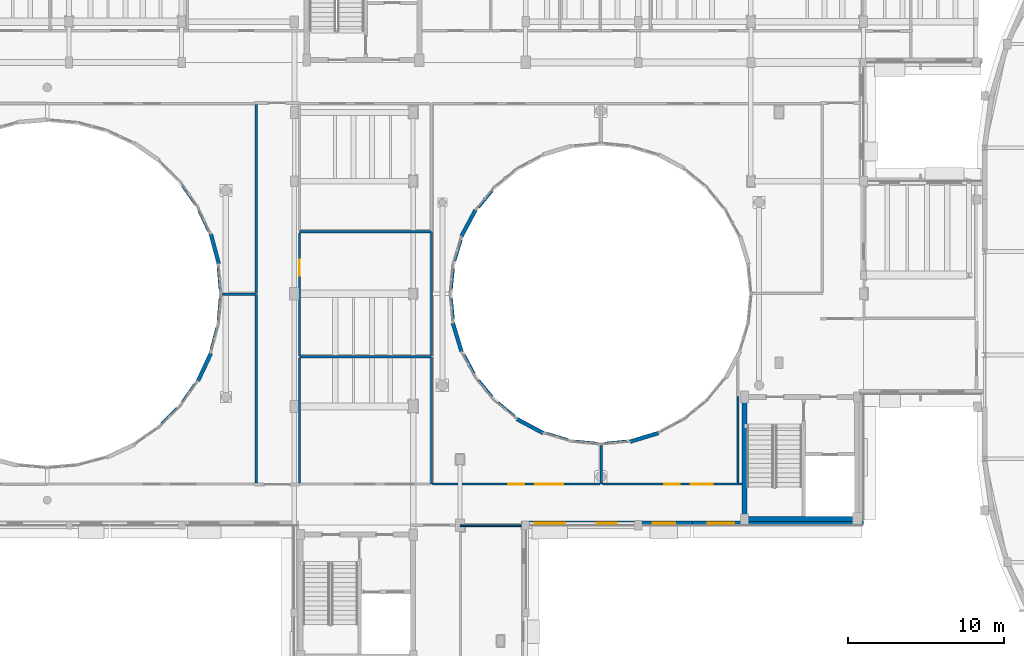
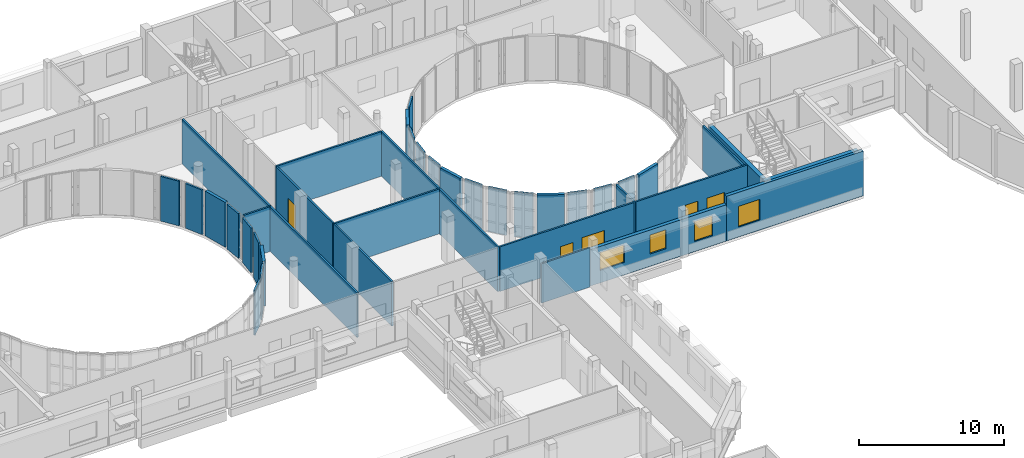
# One storey, part 79 of 105: 41 walls, 6 windows, 3 doors, 9 openings.
"""IFC4 building model written with IfcOpenShell, lengths in metres."""

from ifc_helpers import new_model, si_unit, direction, frame, frame_2d, origin, place, context, subcontext, project, spatial, rectangle, extrude, material, layer, layer_set, type_object, element, fill, save


model = new_model("IFC4")

# Units and contexts
model_context = context("Model", 3, precision=1e-05, world=origin(), true_north=direction((0.0, 1.0)))
body_context = subcontext(model_context, "Body", "Model", "MODEL_VIEW")
ifc_project = project(units=[si_unit("LENGTHUNIT", "METRE"), si_unit("AREAUNIT", "SQUARE_METRE"), si_unit("VOLUMEUNIT", "CUBIC_METRE"), si_unit("PLANEANGLEUNIT", "RADIAN"), si_unit("MASSUNIT", "GRAM", prefix="KILO")], contexts=[model_context])

# Site, building, storey
site_placement = place(None, origin())
site = spatial("IfcSite", under=ifc_project, at=site_placement, CompositionType="ELEMENT")
building_placement = place(site_placement, origin())
building = spatial("IfcBuilding", under=site, at=building_placement, Name="Kelanivale Promenade Academy", CompositionType="ELEMENT")
storey_placement = place(building_placement, frame((0.0, 0.0, 4.199951171875)))
storey = spatial("IfcBuildingStorey", under=building, at=storey_placement, Name="L01", CompositionType="ELEMENT", Elevation=4.199951171875)

# Walls
ifc_material_1 = material(Name="Concrete C40/50", Category="concrete")
ifc_layer_1 = layer(ifc_material_1, 0.330078125)
ifc_layer_set_1 = layer_set([ifc_layer_1], Name="Concrete C40/50")
wall_type_1 = type_object("IfcWallType", Name="CW-S1 Wall 330mm", PredefinedType="SHEAR", material=ifc_layer_set_1)
wall_1_placement = place(storey_placement, frame((107.8349609375, 42.39990234375, 0.0), z_axis=(0.0, 0.0, 1.0), x_axis=(1.0, 0.0, 0.0)))
element("IfcWall", 1, at=wall_1_placement, inside=storey, type_object=wall_type_1, Name="CORE-3 RC shear wall S L01", PredefinedType="SHEAR", context=body_context, shape_type="SweptSolid", body=[
    extrude(rectangle(XDim=7.530029296875, YDim=0.330078125, at=frame_2d((3.76513671875, 0.0))), origin(), (0.0, 0.0, 1.0), 3.780029296875),
])
wall_2_placement = place(storey_placement, frame((108.0, 42.56494140625, 0.0), z_axis=(0.0, 0.0, 1.0), x_axis=(0.0, 1.0, 0.0)))
element("IfcWall", 2, at=wall_2_placement, inside=storey, type_object=wall_type_1, Name="CORE-3 RC shear wall W L01", PredefinedType="SHEAR", context=body_context, shape_type="SweptSolid", body=[
    extrude(rectangle(XDim=7.469970703125, YDim=0.330078125, at=frame_2d((3.73486328125, 0.0))), origin(), (0.0, 0.0, 1.0), 3.780029296875),
])

# Wall, openings, windows
ifc_material_2 = material(Name="Insulated ivory stucco masonry wall 280 mm", Category="masonry")
ifc_layer_2 = layer(ifc_material_2, 0.280029296875)
ifc_layer_set_2 = layer_set([ifc_layer_2], Name="Insulated ivory stucco masonry wall 280 mm")
wall_type_2 = type_object("IfcWallType", Name="EW-02 Wall 280mm", PredefinedType="SOLIDWALL", material=ifc_layer_set_2)
wall_3_placement = place(storey_placement, frame((93.719970703125, 42.139892578125, 0.0), z_axis=(0.0, 0.0, 1.0), x_axis=(1.0, 0.0, 0.0)))
wall_3 = element("IfcWall", 3, at=wall_3_placement, inside=storey, type_object=wall_type_2, Name="L01 exterior facade wall EW-L01-ORT-0362", PredefinedType="SOLIDWALL", context=body_context, shape_type="SweptSolid", body=[
    extrude(rectangle(XDim=10.93994140625, YDim=0.280029296875, at=frame_2d((5.469970703125, 0.0))), origin(), (0.0, 0.0, 1.0), 3.074951171875),
])
opening_1_placement = place(wall_3_placement, frame((0.847900390625, 0.0, 1.050048828125)))
opening_1 = element("IfcOpeningElement", 4, at=opening_1_placement, cuts=wall_3, Name="Opening WT-22", PredefinedType="OPENING", context=body_context, shape_type="SweptSolid", body=[
    extrude(rectangle(XDim=1.949951171875, YDim=1.5, at=frame_2d((0.97509765625, 0.75))), frame((0.0, 0.14990234375, 0.0), z_axis=(0.0, -1.0, 0.0), x_axis=(1.0, 0.0, 0.0)), (0.0, 0.0, 1.0), 0.300048828125),
])
opening_2_placement = place(wall_3_placement, frame((4.820068359375, 0.0, 1.050048828125)))
opening_2 = element("IfcOpeningElement", 5, at=opening_2_placement, cuts=wall_3, Name="Opening WT-23", PredefinedType="OPENING", context=body_context, shape_type="SweptSolid", body=[
    extrude(rectangle(XDim=1.300048828125, YDim=1.60009765625, at=frame_2d((0.64990234375, 0.800048828125))), frame((0.0, 0.14990234375, 0.0), z_axis=(0.0, -1.0, 0.0), x_axis=(1.0, 0.0, 0.0)), (0.0, 0.0, 1.0), 0.300048828125),
])
opening_3_placement = place(wall_3_placement, frame((8.39208984375, 0.0, 0.85009765625)))
opening_3 = element("IfcOpeningElement", 6, at=opening_3_placement, cuts=wall_3, Name="Opening WT-24", PredefinedType="OPENING", context=body_context, shape_type="SweptSolid", body=[
    extrude(rectangle(XDim=1.449951171875, YDim=1.699951171875, at=frame_2d((0.72509765625, 0.85009765625))), frame((0.0, 0.14990234375, 0.0), z_axis=(0.0, -1.0, 0.0), x_axis=(1.0, 0.0, 0.0)), (0.0, 0.0, 1.0), 0.300048828125),
])
ifc_material_3 = material(Name="Bronze anodised aluminium frame with low-E laminated glass", Category="aluminium")
window_type_1 = type_object("IfcWindowType", Name="WT-22 Window 1950x1500", PartitioningType="SINGLE_PANEL", PredefinedType="WINDOW", material=ifc_material_3)
window_1_placement = place(opening_1_placement, origin())
window_1 = element("IfcWindow", 7, at=window_1_placement, inside=storey, type_object=window_type_1, Name="Window WT-22", OverallHeight=1.5, OverallWidth=1.949951171875, PartitioningType="SINGLE_PANEL", PredefinedType="WINDOW", context=body_context, shape_type="SweptSolid", body=[
    extrude(rectangle(XDim=1.949951171875, YDim=1.5, at=frame_2d((0.97509765625, 0.75))), frame((0.0, 0.030029296875, 0.0), z_axis=(0.0, -1.0, 0.0), x_axis=(1.0, 0.0, 0.0)), (0.0, 0.0, 1.0), 0.06005859375),
])
fill(opening_1, window_1)
window_type_2 = type_object("IfcWindowType", Name="WT-23 Window 1300x1600", PartitioningType="SINGLE_PANEL", PredefinedType="WINDOW", material=ifc_material_3)
window_2_placement = place(opening_2_placement, origin())
window_2 = element("IfcWindow", 8, at=window_2_placement, inside=storey, type_object=window_type_2, Name="Window WT-23", OverallHeight=1.60009765625, OverallWidth=1.300048828125, PartitioningType="SINGLE_PANEL", PredefinedType="WINDOW", context=body_context, shape_type="SweptSolid", body=[
    extrude(rectangle(XDim=1.300048828125, YDim=1.60009765625, at=frame_2d((0.64990234375, 0.800048828125))), frame((0.0, 0.030029296875, 0.0), z_axis=(0.0, -1.0, 0.0), x_axis=(1.0, 0.0, 0.0)), (0.0, 0.0, 1.0), 0.06005859375),
])
fill(opening_2, window_2)
window_type_3 = type_object("IfcWindowType", Name="WT-24 Window 1450x1700", PartitioningType="SINGLE_PANEL", PredefinedType="WINDOW", material=ifc_material_3)
window_3_placement = place(opening_3_placement, origin())
window_3 = element("IfcWindow", 9, at=window_3_placement, inside=storey, type_object=window_type_3, Name="Window WT-24", OverallHeight=1.699951171875, OverallWidth=1.449951171875, PartitioningType="SINGLE_PANEL", PredefinedType="WINDOW", context=body_context, shape_type="SweptSolid", body=[
    extrude(rectangle(XDim=1.449951171875, YDim=1.699951171875, at=frame_2d((0.72509765625, 0.85009765625))), frame((0.0, 0.030029296875, 0.0), z_axis=(0.0, -1.0, 0.0), x_axis=(1.0, 0.0, 0.0)), (0.0, 0.0, 1.0), 0.06005859375),
])
fill(opening_3, window_3)

# Wall, opening, window
wall_4_placement = place(storey_placement, frame((104.659912109375, 42.139892578125, 0.0), z_axis=(0.0, 0.0, 1.0), x_axis=(1.0, 0.0, 0.0)))
wall_4 = element("IfcWall", 10, at=wall_4_placement, inside=storey, type_object=wall_type_2, Name="L01 exterior facade wall EW-L01-ORT-0363", PredefinedType="SOLIDWALL", context=body_context, shape_type="SweptSolid", body=[
    extrude(rectangle(XDim=10.940185546875, YDim=0.280029296875, at=frame_2d((5.47021484375, 0.0))), origin(), (0.0, 0.0, 1.0), 3.780029296875),
])
opening_4_placement = place(wall_4_placement, frame((0.972900390625, 0.0, 0.85009765625)))
opening_4 = element("IfcOpeningElement", 11, at=opening_4_placement, cuts=wall_4, Name="Opening WT-25", PredefinedType="OPENING", context=body_context, shape_type="SweptSolid", body=[
    extrude(rectangle(XDim=1.699951171875, YDim=1.75, at=frame_2d((0.85009765625, 0.875))), frame((0.0, 0.14990234375, 0.0), z_axis=(0.0, -1.0, 0.0), x_axis=(1.0, 0.0, 0.0)), (0.0, 0.0, 1.0), 0.300048828125),
])
window_type_4 = type_object("IfcWindowType", Name="WT-25 Window 1700x1750", PartitioningType="SINGLE_PANEL", PredefinedType="WINDOW", material=ifc_material_3)
window_4_placement = place(opening_4_placement, origin())
window_4 = element("IfcWindow", 12, at=window_4_placement, inside=storey, type_object=window_type_4, Name="Window WT-25", OverallHeight=1.75, OverallWidth=1.699951171875, PartitioningType="SINGLE_PANEL", PredefinedType="WINDOW", context=body_context, shape_type="SweptSolid", body=[
    extrude(rectangle(XDim=1.699951171875, YDim=1.75, at=frame_2d((0.85009765625, 0.875))), frame((0.0, 0.030029296875, 0.0), z_axis=(0.0, -1.0, 0.0), x_axis=(1.0, 0.0, 0.0)), (0.0, 0.0, 1.0), 0.06005859375),
])
fill(opening_4, window_4)

# Walls
ifc_material_4 = material(Name="Insulated courtyard stucco masonry wall 240 mm", Category="masonry")
ifc_layer_3 = layer(ifc_material_4, 0.239990234375)
ifc_layer_set_3 = layer_set([ifc_layer_3], Name="Insulated courtyard stucco masonry wall 240 mm")
wall_type_3 = type_object("IfcWallType", Name="EW-04 Wall 240mm", PredefinedType="SOLIDWALL", material=ifc_layer_set_3)
wall_5_placement = place(storey_placement, frame((90.7900390625, 62.166015625, 0.0), z_axis=(0.0, 0.0, 1.0), x_axis=(-0.471548403175, -0.881840180227, 0.0)))
element("IfcWall", 13, at=wall_5_placement, inside=storey, type_object=wall_type_3, Name="L01 round courtyard stucco wall", PredefinedType="SOLIDWALL", context=body_context, shape_type="SweptSolid", body=[
    extrude(rectangle(XDim=1.9130859375, YDim=0.239990234375, at=frame_2d((0.95654296875, 0.0))), origin(), (0.0, 0.0, 1.0), 3.780029296875),
])
wall_6_placement = place(storey_placement, frame((89.342041015625, 54.929931640625, 0.0), z_axis=(0.0, 0.0, 1.0), x_axis=(0.289748657608, -0.957102771605, 0.0)))
element("IfcWall", 14, at=wall_6_placement, inside=storey, type_object=wall_type_3, Name="L01 round courtyard stucco wall", PredefinedType="SOLIDWALL", context=body_context, shape_type="SweptSolid", body=[
    extrude(rectangle(XDim=1.911865234375, YDim=0.239990234375, at=frame_2d((0.9560546875, 0.0))), origin(), (0.0, 0.0, 1.0), 3.780029296875),
])
wall_7_placement = place(storey_placement, frame((93.43408203125, 48.7900390625, 0.0), z_axis=(0.0, 0.0, 1.0), x_axis=(0.881840180227, -0.471548403175, 0.0)))
element("IfcWall", 15, at=wall_7_placement, inside=storey, type_object=wall_type_3, Name="L01 round courtyard stucco wall", PredefinedType="SOLIDWALL", context=body_context, shape_type="SweptSolid", body=[
    extrude(rectangle(XDim=1.9130859375, YDim=0.239990234375, at=frame_2d((0.95654296875, 0.0))), origin(), (0.0, 0.0, 1.0), 3.780029296875),
])
wall_8_placement = place(storey_placement, frame((100.669921875, 47.342041015625, 0.0), z_axis=(0.0, 0.0, 1.0), x_axis=(0.957113490504, 0.289713248393, 0.0)))
element("IfcWall", 16, at=wall_8_placement, inside=storey, type_object=wall_type_3, Name="L01 round courtyard stucco wall", PredefinedType="SOLIDWALL", context=body_context, shape_type="SweptSolid", body=[
    extrude(rectangle(XDim=1.912109375, YDim=0.239990234375, at=frame_2d((0.9560546875, 0.0))), origin(), (0.0, 0.0, 1.0), 3.780029296875),
])
wall_9_placement = place(storey_placement, frame((73.0419921875, 51.218017578125, 0.0), z_axis=(0.0, 0.0, 1.0), x_axis=(0.423095895811, 0.906084909348, 0.0)))
element("IfcWall", 17, at=wall_9_placement, inside=storey, type_object=wall_type_3, Name="L01 round courtyard stucco wall", PredefinedType="SOLIDWALL", context=body_context, shape_type="SweptSolid", body=[
    extrude(rectangle(XDim=1.96875, YDim=0.239990234375, at=frame_2d((0.984375, 0.0))), origin(), (0.0, 0.0, 1.0), 3.780029296875),
])
wall_10_placement = place(storey_placement, frame((74.3740234375, 58.721923828125, 0.0), z_axis=(0.0, 0.0, 1.0), x_axis=(-0.258303819724, 0.966063733258, 0.0)))
element("IfcWall", 18, at=wall_10_placement, inside=storey, type_object=wall_type_3, Name="L01 round courtyard stucco wall", PredefinedType="SOLIDWALL", context=body_context, shape_type="SweptSolid", body=[
    extrude(rectangle(XDim=1.966796875, YDim=0.239990234375, at=frame_2d((0.9833984375, 0.0))), origin(), (0.0, 0.0, 1.0), 3.780029296875),
])
ifc_material_5 = material(Name="Acoustic double-stud gypsum board partition 140 mm", Category="masonry")
ifc_layer_4 = layer(ifc_material_5, 0.139892578125)
ifc_layer_set_4 = layer_set([ifc_layer_4], Name="Acoustic double-stud gypsum board partition 140 mm")
wall_type_4 = type_object("IfcWallType", Name="IW-04 Wall 140mm", PredefinedType="PARTITIONING", material=ifc_layer_set_4)
wall_11_placement = place(storey_placement, frame((87.969970703125, 44.6298828125, 0.0), z_axis=(0.0, 0.0, 1.0), x_axis=(0.0, 1.0, 0.0)))
element("IfcWall", 19, at=wall_11_placement, inside=storey, type_object=wall_type_4, Name="L01 partition Junior Classroom", PredefinedType="PARTITIONING", context=body_context, shape_type="SweptSolid", body=[
    extrude(rectangle(XDim=8.14013671875, YDim=0.139892578125, at=frame_2d((4.070068359375, 0.0))), origin(), (0.0, 0.0, 1.0), 3.775146484375),
])
wall_12_placement = place(storey_placement, frame((87.902099609375, 52.77001953125, 0.0), z_axis=(0.0, 0.0, 1.0), x_axis=(-1.0, 0.0, 0.0)))
element("IfcWall", 20, at=wall_12_placement, inside=storey, type_object=wall_type_4, Name="L01 partition Junior Classroom", PredefinedType="PARTITIONING", context=body_context, shape_type="SweptSolid", body=[
    extrude(rectangle(XDim=8.3720703125, YDim=0.139892578125, at=frame_2d((4.18603515625, 0.0))), origin(), (0.0, 0.0, 1.0), 3.775146484375),
])
wall_13_placement = place(storey_placement, frame((79.530029296875, 52.701904296875, 0.0), z_axis=(0.0, 0.0, 1.0), x_axis=(0.0, -1.0, 0.0)))
element("IfcWall", 21, at=wall_13_placement, inside=storey, type_object=wall_type_4, Name="L01 partition Junior Classroom", PredefinedType="PARTITIONING", context=body_context, shape_type="SweptSolid", body=[
    extrude(rectangle(XDim=8.013916015625, YDim=0.139892578125, at=frame_2d((4.0068359375, 0.0))), origin(), (0.0, 0.0, 1.0), 3.775146484375),
])
wall_14_placement = place(storey_placement, frame((87.969970703125, 52.830078125, 0.0), z_axis=(0.0, 0.0, 1.0), x_axis=(0.0, 1.0, 0.0)))
element("IfcWall", 22, at=wall_14_placement, inside=storey, type_object=wall_type_4, Name="L01 partition Language Studio", PredefinedType="PARTITIONING", context=body_context, shape_type="SweptSolid", body=[
    extrude(rectangle(XDim=7.93994140625, YDim=0.139892578125, at=frame_2d((3.969970703125, 0.0))), origin(), (0.0, 0.0, 1.0), 3.775146484375),
])
wall_15_placement = place(storey_placement, frame((87.902099609375, 60.77001953125, 0.0), z_axis=(0.0, 0.0, 1.0), x_axis=(-1.0, 0.0, 0.0)))
element("IfcWall", 23, at=wall_15_placement, inside=storey, type_object=wall_type_4, Name="L01 partition Language Studio", PredefinedType="PARTITIONING", context=body_context, shape_type="SweptSolid", body=[
    extrude(rectangle(XDim=8.3720703125, YDim=0.139892578125, at=frame_2d((4.18603515625, 0.0))), origin(), (0.0, 0.0, 1.0), 3.775146484375),
])

# Wall, opening, door
wall_16_placement = place(storey_placement, frame((79.530029296875, 60.701904296875, 0.0), z_axis=(0.0, 0.0, 1.0), x_axis=(0.0, -1.0, 0.0)))
wall_16 = element("IfcWall", 24, at=wall_16_placement, inside=storey, type_object=wall_type_4, Name="L01 partition Language Studio", PredefinedType="PARTITIONING", context=body_context, shape_type="SweptSolid", body=[
    extrude(rectangle(XDim=7.864013671875, YDim=0.139892578125, at=frame_2d((3.93212890625, 0.0))), origin(), (0.0, 0.0, 1.0), 3.775146484375),
])
opening_5_placement = place(wall_16_placement, frame((1.7109375, 0.0, 0.0)))
opening_5 = element("IfcOpeningElement", 25, at=opening_5_placement, cuts=wall_16, Name="Opening ID-L01-079", PredefinedType="OPENING", context=body_context, shape_type="SweptSolid", body=[
    extrude(rectangle(XDim=1.02001953125, YDim=2.139892578125, at=frame_2d((0.510009765625, 1.06982421875))), frame((0.0, 0.080078125, 0.0), z_axis=(0.0, -1.0, 0.0), x_axis=(1.0, 0.0, 0.0)), (0.0, 0.0, 1.0), 0.159912109375),
])
ifc_material_6 = material(Name="Solid-core tropical teak timber", Category="wood")
door_type_1 = type_object("IfcDoorType", Name="DT-I15 Door 1020x2140", OperationType="NOTDEFINED", PredefinedType="DOOR", material=ifc_material_6)
door_1_placement = place(opening_5_placement, origin())
door_1 = element("IfcDoor", 26, at=door_1_placement, inside=storey, type_object=door_type_1, Name="Language Studio door ID-L01-079", OperationType="SINGLE_SWING_LEFT", OverallHeight=2.139892578125, OverallWidth=1.02001953125, PredefinedType="DOOR", context=body_context, shape_type="SweptSolid", body=[
    extrude(rectangle(XDim=1.02001953125, YDim=2.139892578125, at=frame_2d((0.510009765625, 1.06982421875))), frame((0.0, 0.02490234375, 0.0), z_axis=(0.0, -1.0, 0.0), x_axis=(1.0, 0.0, 0.0)), (0.0, 0.0, 1.0), 0.050048828125),
])
fill(opening_5, door_1)

# Walls
wall_17_placement = place(storey_placement, frame((72.839111328125, 51.052978515625, 0.0), z_axis=(0.0, 0.0, 1.0), x_axis=(-0.57368253481, -0.819077743108, 0.0)))
element("IfcWall", 27, at=wall_17_placement, inside=storey, type_object=wall_type_4, Name="L01 partition Language Studio Courtyard South", PredefinedType="PARTITIONING", context=body_context, shape_type="SweptSolid", body=[
    extrude(rectangle(XDim=1.413818359375, YDim=0.139892578125, at=frame_2d((0.70703125, 0.0))), origin(), (0.0, 0.0, 1.0), 3.775146484375),
])
wall_18_placement = place(storey_placement, frame((71.697021484375, 49.5009765625, 0.0), z_axis=(0.0, 0.0, 1.0), x_axis=(-0.707106781187, -0.707106781187, 0.0)))
element("IfcWall", 28, at=wall_18_placement, inside=storey, type_object=wall_type_4, Name="L01 partition Language Studio Courtyard South", PredefinedType="PARTITIONING", context=body_context, shape_type="SweptSolid", body=[
    extrude(rectangle(XDim=1.411376953125, YDim=0.139892578125, at=frame_2d((0.70556640625, 0.0))), origin(), (0.0, 0.0, 1.0), 3.775146484375),
])
wall_19_placement = place(storey_placement, frame((76.77001953125, 44.697998046875, 0.0), z_axis=(0.0, 0.0, 1.0), x_axis=(0.0, 1.0, 0.0)))
element("IfcWall", 29, at=wall_19_placement, inside=storey, type_object=wall_type_4, Name="L01 partition Language Studio Courtyard South", PredefinedType="PARTITIONING", context=body_context, shape_type="SweptSolid", body=[
    extrude(rectangle(XDim=12.072021484375, YDim=0.139892578125, at=frame_2d((6.0361328125, 0.0))), origin(), (0.0, 0.0, 1.0), 3.775146484375),
])
wall_20_placement = place(storey_placement, frame((76.701904296875, 56.77001953125, 0.0), z_axis=(0.0, 0.0, 1.0), x_axis=(-1.0, 0.0, 0.0)))
element("IfcWall", 30, at=wall_20_placement, inside=storey, type_object=wall_type_4, Name="L01 partition Language Studio Courtyard South", PredefinedType="PARTITIONING", context=body_context, shape_type="SweptSolid", body=[
    extrude(rectangle(XDim=2.0859375, YDim=0.139892578125, at=frame_2d((1.04296875, 0.0))), origin(), (0.0, 0.0, 1.0), 3.775146484375),
])
wall_21_placement = place(storey_placement, frame((74.446044921875, 56.52294921875, 0.0), z_axis=(0.0, 0.0, 1.0), x_axis=(-0.086916960031, -0.996215560037, 0.0)))
element("IfcWall", 31, at=wall_21_placement, inside=storey, type_object=wall_type_4, Name="L01 partition Language Studio Courtyard South", PredefinedType="PARTITIONING", context=body_context, shape_type="SweptSolid", body=[
    extrude(rectangle(XDim=1.393310546875, YDim=0.139892578125, at=frame_2d((0.69677734375, 0.0))), origin(), (0.0, 0.0, 1.0), 3.775146484375),
])
wall_22_placement = place(storey_placement, frame((74.235107421875, 54.6279296875, 0.0), z_axis=(0.0, 0.0, 1.0), x_axis=(-0.258491202719, -0.966013611766, 0.0)))
element("IfcWall", 32, at=wall_22_placement, inside=storey, type_object=wall_type_4, Name="L01 partition Language Studio Courtyard South", PredefinedType="PARTITIONING", context=body_context, shape_type="SweptSolid", body=[
    extrude(rectangle(XDim=1.412109375, YDim=0.139892578125, at=frame_2d((0.7060546875, 0.0))), origin(), (0.0, 0.0, 1.0), 3.775146484375),
])
wall_23_placement = place(storey_placement, frame((72.028076171875, 63.705078125, 0.0), z_axis=(0.0, 0.0, 1.0), x_axis=(0.57368253481, -0.819077743108, 0.0)))
element("IfcWall", 33, at=wall_23_placement, inside=storey, type_object=wall_type_4, Name="L01 partition Geography Classroom Courtyard North", PredefinedType="PARTITIONING", context=body_context, shape_type="SweptSolid", body=[
    extrude(rectangle(XDim=1.413818359375, YDim=0.139892578125, at=frame_2d((0.70703125, 0.0))), origin(), (0.0, 0.0, 1.0), 3.775146484375),
])
wall_24_placement = place(storey_placement, frame((73.095947265625, 62.10107421875, 0.0), z_axis=(0.0, 0.0, 1.0), x_axis=(0.423348930736, -0.905966711775, 0.0)))
element("IfcWall", 34, at=wall_24_placement, inside=storey, type_object=wall_type_4, Name="L01 partition Geography Classroom Courtyard North", PredefinedType="PARTITIONING", context=body_context, shape_type="SweptSolid", body=[
    extrude(rectangle(XDim=1.412841796875, YDim=0.139892578125, at=frame_2d((0.70654296875, 0.0))), origin(), (0.0, 0.0, 1.0), 3.775146484375),
])
wall_25_placement = place(storey_placement, frame((74.324951171875, 58.465087890625, 0.0), z_axis=(0.0, 0.0, 1.0), x_axis=(0.086901789347, -0.996216883519, 0.0)))
element("IfcWall", 35, at=wall_25_placement, inside=storey, type_object=wall_type_4, Name="L01 partition Geography Classroom Courtyard North", PredefinedType="PARTITIONING", context=body_context, shape_type="SweptSolid", body=[
    extrude(rectangle(XDim=1.3935546875, YDim=0.139892578125, at=frame_2d((0.69677734375, 0.0))), origin(), (0.0, 0.0, 1.0), 3.775146484375),
])
wall_26_placement = place(storey_placement, frame((76.77001953125, 56.830078125, 0.0), z_axis=(0.0, 0.0, 1.0), x_axis=(0.0, 1.0, 0.0)))
element("IfcWall", 36, at=wall_26_placement, inside=storey, type_object=wall_type_4, Name="L01 partition Geography Classroom Courtyard North", PredefinedType="PARTITIONING", context=body_context, shape_type="SweptSolid", body=[
    extrude(rectangle(XDim=12.08203125, YDim=0.139892578125, at=frame_2d((6.041015625, 0.0))), origin(), (0.0, 0.0, 1.0), 3.775146484375),
])
wall_27_placement = place(storey_placement, frame((100.407958984375, 47.388916015625, 0.0), z_axis=(0.0, 0.0, 1.0), x_axis=(-0.99513072014, -0.098563937798, 0.0)))
element("IfcWall", 37, at=wall_27_placement, inside=storey, type_object=wall_type_4, Name="L01 partition Junior Classroom East A", PredefinedType="PARTITIONING", context=body_context, shape_type="SweptSolid", body=[
    extrude(rectangle(XDim=1.337646484375, YDim=0.139892578125, at=frame_2d((0.6689453125, 0.0))), origin(), (0.0, 0.0, 1.0), 3.775146484375),
])
wall_28_placement = place(storey_placement, frame((98.830078125, 47.083984375, 0.0), z_axis=(0.0, 0.0, 1.0), x_axis=(0.0, -1.0, 0.0)))
element("IfcWall", 38, at=wall_28_placement, inside=storey, type_object=wall_type_4, Name="L01 partition Junior Classroom East A", PredefinedType="PARTITIONING", context=body_context, shape_type="SweptSolid", body=[
    extrude(rectangle(XDim=2.4541015625, YDim=0.139892578125, at=frame_2d((1.22705078125, 0.0))), origin(), (0.0, 0.0, 1.0), 3.775146484375),
])

# Wall, openings, door, window
wall_29_placement = place(storey_placement, frame((98.89794921875, 44.6298828125, 0.0), z_axis=(0.0, 0.0, 1.0), x_axis=(1.0, 0.0, 0.0)))
wall_29 = element("IfcWall", 39, at=wall_29_placement, inside=storey, type_object=wall_type_4, Name="L01 partition Junior Classroom East A", PredefinedType="PARTITIONING", context=body_context, shape_type="SweptSolid", body=[
    extrude(rectangle(XDim=8.93896484375, YDim=0.139892578125, at=frame_2d((4.469482421875, 0.0))), origin(), (0.0, 0.0, 1.0), 3.775146484375),
])
opening_6_placement = place(wall_29_placement, frame((3.969970703125, 0.0, 0.0)))
opening_6 = element("IfcOpeningElement", 40, at=opening_6_placement, cuts=wall_29, Name="Opening ID-L01-085", PredefinedType="OPENING", context=body_context, shape_type="SweptSolid", body=[
    extrude(rectangle(XDim=1.0, YDim=2.10009765625, at=frame_2d((0.5, 1.050048828125))), frame((0.0, 0.080078125, 0.0), z_axis=(0.0, -1.0, 0.0), x_axis=(1.0, 0.0, 0.0)), (0.0, 0.0, 1.0), 0.159912109375),
])
opening_7_placement = place(wall_29_placement, frame((5.669921875, 0.0, 1.050048828125)))
opening_7 = element("IfcOpeningElement", 41, at=opening_7_placement, cuts=wall_29, Name="Opening WT-I03", PredefinedType="OPENING", context=body_context, shape_type="SweptSolid", body=[
    extrude(rectangle(XDim=1.39990234375, YDim=1.050048828125, at=frame_2d((0.699951171875, 0.52490234375))), frame((0.0, 0.080078125, 0.0), z_axis=(0.0, -1.0, 0.0), x_axis=(1.0, 0.0, 0.0)), (0.0, 0.0, 1.0), 0.159912109375),
])
door_type_2 = type_object("IfcDoorType", Name="DT-I01 Door 1000x2100", OperationType="NOTDEFINED", PredefinedType="DOOR", material=ifc_material_6)
door_2_placement = place(opening_6_placement, origin())
door_2 = element("IfcDoor", 42, at=door_2_placement, inside=storey, type_object=door_type_2, Name="Junior Classroom East A door ID-L01-085", OperationType="SINGLE_SWING_LEFT", OverallHeight=2.10009765625, OverallWidth=1.0, PredefinedType="DOOR", context=body_context, shape_type="SweptSolid", body=[
    extrude(rectangle(XDim=1.0, YDim=2.10009765625, at=frame_2d((0.5, 1.050048828125))), frame((0.0, 0.02490234375, 0.0), z_axis=(0.0, -1.0, 0.0), x_axis=(1.0, 0.0, 0.0)), (0.0, 0.0, 1.0), 0.050048828125),
])
fill(opening_6, door_2)
window_type_5 = type_object("IfcWindowType", Name="WT-I03 Window 1400x1050", PartitioningType="SINGLE_PANEL", PredefinedType="WINDOW", material=ifc_material_3)
window_5_placement = place(opening_7_placement, origin())
window_5 = element("IfcWindow", 43, at=window_5_placement, inside=storey, type_object=window_type_5, Name="Interior observation window WT-I03", OverallHeight=1.050048828125, OverallWidth=1.39990234375, PartitioningType="SINGLE_PANEL", PredefinedType="WINDOW", context=body_context, shape_type="SweptSolid", body=[
    extrude(rectangle(XDim=1.39990234375, YDim=1.050048828125, at=frame_2d((0.699951171875, 0.52490234375))), frame((0.0, 0.030029296875, 0.0), z_axis=(0.0, -1.0, 0.0), x_axis=(1.0, 0.0, 0.0)), (0.0, 0.0, 1.0), 0.06005859375),
])
fill(opening_7, window_5)

# Wall
wall_30_placement = place(storey_placement, frame((107.570068359375, 44.697998046875, 0.0), z_axis=(0.0, 0.0, 1.0), x_axis=(0.0, 1.0, 0.0)))
element("IfcWall", 44, at=wall_30_placement, inside=storey, type_object=wall_type_4, Name="L01 partition Junior Classroom East A", PredefinedType="PARTITIONING", context=body_context, shape_type="SweptSolid", body=[
    extrude(rectangle(XDim=5.531982421875, YDim=0.139892578125, at=frame_2d((2.76611328125, 0.0))), origin(), (0.0, 0.0, 1.0), 3.775146484375),
])

# Wall, openings, door, window
wall_31_placement = place(storey_placement, frame((88.0380859375, 44.6298828125, 0.0), z_axis=(0.0, 0.0, 1.0), x_axis=(1.0, 0.0, 0.0)))
wall_31 = element("IfcWall", 45, at=wall_31_placement, inside=storey, type_object=wall_type_4, Name="L01 partition Junior Classroom Courtyard East-South", PredefinedType="PARTITIONING", context=body_context, shape_type="SweptSolid", body=[
    extrude(rectangle(XDim=10.723876953125, YDim=0.139892578125, at=frame_2d((5.36181640625, 0.0))), origin(), (0.0, 0.0, 1.0), 3.775146484375),
])
opening_8_placement = place(wall_31_placement, frame((4.862060546875, 0.0, 0.0)))
opening_8 = element("IfcOpeningElement", 46, at=opening_8_placement, cuts=wall_31, Name="Opening ID-L01-087", PredefinedType="OPENING", context=body_context, shape_type="SweptSolid", body=[
    extrude(rectangle(XDim=1.0, YDim=2.10009765625, at=frame_2d((0.5, 1.050048828125))), frame((0.0, 0.080078125, 0.0), z_axis=(0.0, -1.0, 0.0), x_axis=(1.0, 0.0, 0.0)), (0.0, 0.0, 1.0), 0.159912109375),
])
opening_9_placement = place(wall_31_placement, frame((6.56201171875, 0.0, 1.050048828125)))
opening_9 = element("IfcOpeningElement", 47, at=opening_9_placement, cuts=wall_31, Name="Opening WT-I02", PredefinedType="OPENING", context=body_context, shape_type="SweptSolid", body=[
    extrude(rectangle(XDim=1.800048828125, YDim=1.199951171875, at=frame_2d((0.89990234375, 0.60009765625))), frame((0.0, 0.080078125, 0.0), z_axis=(0.0, -1.0, 0.0), x_axis=(1.0, 0.0, 0.0)), (0.0, 0.0, 1.0), 0.159912109375),
])
door_3_placement = place(opening_8_placement, origin())
door_3 = element("IfcDoor", 48, at=door_3_placement, inside=storey, type_object=door_type_2, Name="Junior Classroom Courtyard East-South door ID-L01-087", OperationType="SINGLE_SWING_LEFT", OverallHeight=2.10009765625, OverallWidth=1.0, PredefinedType="DOOR", context=body_context, shape_type="SweptSolid", body=[
    extrude(rectangle(XDim=1.0, YDim=2.10009765625, at=frame_2d((0.5, 1.050048828125))), frame((0.0, 0.02490234375, 0.0), z_axis=(0.0, -1.0, 0.0), x_axis=(1.0, 0.0, 0.0)), (0.0, 0.0, 1.0), 0.050048828125),
])
fill(opening_8, door_3)
window_type_6 = type_object("IfcWindowType", Name="WT-I02 Window 1800x1200", PartitioningType="SINGLE_PANEL", PredefinedType="WINDOW", material=ifc_material_3)
window_6_placement = place(opening_9_placement, origin())
window_6 = element("IfcWindow", 49, at=window_6_placement, inside=storey, type_object=window_type_6, Name="Interior observation window WT-I02", OverallHeight=1.199951171875, OverallWidth=1.800048828125, PartitioningType="SINGLE_PANEL", PredefinedType="WINDOW", context=body_context, shape_type="SweptSolid", body=[
    extrude(rectangle(XDim=1.800048828125, YDim=1.199951171875, at=frame_2d((0.89990234375, 0.60009765625))), frame((0.0, 0.030029296875, 0.0), z_axis=(0.0, -1.0, 0.0), x_axis=(1.0, 0.0, 0.0)), (0.0, 0.0, 1.0), 0.06005859375),
])
fill(opening_9, window_6)

# Walls
wall_32_placement = place(storey_placement, frame((98.52294921875, 47.257080078125, 0.0), z_axis=(0.0, 0.0, 1.0), x_axis=(-0.99513072014, 0.098563937798, 0.0)))
element("IfcWall", 50, at=wall_32_placement, inside=storey, type_object=wall_type_4, Name="L01 partition Junior Classroom Courtyard East-South", PredefinedType="PARTITIONING", context=body_context, shape_type="SweptSolid", body=[
    extrude(rectangle(XDim=1.337646484375, YDim=0.139892578125, at=frame_2d((0.6689453125, 0.0))), origin(), (0.0, 0.0, 1.0), 3.775146484375),
])
wall_33_placement = place(storey_placement, frame((96.68505859375, 47.489013671875, 0.0), z_axis=(0.0, 0.0, 1.0), x_axis=(-0.956945716193, 0.290266939661, 0.0)))
element("IfcWall", 51, at=wall_33_placement, inside=storey, type_object=wall_type_4, Name="L01 partition Junior Classroom Courtyard East-South", PredefinedType="PARTITIONING", context=body_context, shape_type="SweptSolid", body=[
    extrude(rectangle(XDim=1.357421875, YDim=0.139892578125, at=frame_2d((0.6787109375, 0.0))), origin(), (0.0, 0.0, 1.0), 3.775146484375),
])
for number, where, z_axis, x_axis, name in (
    (52, (93.281982421875, 49.007080078125, 0.0), (0.0, 0.0, 1.0), (-0.773050749353, 0.634344180177, 0.0), "L01 partition Junior Classroom Courtyard East-South"),
    (53, (91.867919921875, 50.23291015625, 0.0), (0.0, 0.0, 1.0), (-0.634344180177, 0.773050749353, 0.0), "L01 partition Junior Classroom Courtyard East-South"),
    (54, (90.719970703125, 51.7119140625, 0.0), (0.0, 0.0, 1.0), (-0.470877717269, 0.882198489785, 0.0), "L01 partition Junior Classroom Courtyard East-South"),
):
    element("IfcWall", number, at=place(storey_placement, frame(where, z_axis=z_axis, x_axis=x_axis)), inside=storey, type_object=wall_type_4, Name=name, PredefinedType="PARTITIONING", context=body_context, shape_type="SweptSolid", body=[
        extrude(rectangle(XDim=1.35693359375, YDim=0.139892578125, at=frame_2d((0.678466796875, 0.0))), origin(), (0.0, 0.0, 1.0), 3.775146484375),
    ])
for number, where, z_axis, x_axis, name in (
    (55, (89.388916015625, 55.19189453125, 0.0), (0.0, 0.0, 1.0), (-0.098563937798, 0.99513072014, 0.0), "L01 partition Junior Classroom Courtyard East-South"),
    (56, (89.257080078125, 57.076904296875, 0.0), (0.0, 0.0, 1.0), (0.098563937798, 0.99513072014, 0.0), "L01 partition Language Studio Courtyard East-North"),
):
    element("IfcWall", number, at=place(storey_placement, frame(where, z_axis=z_axis, x_axis=x_axis)), inside=storey, type_object=wall_type_4, Name=name, PredefinedType="PARTITIONING", context=body_context, shape_type="SweptSolid", body=[
        extrude(rectangle(XDim=1.337646484375, YDim=0.139892578125, at=frame_2d((0.6689453125, 0.0))), origin(), (0.0, 0.0, 1.0), 3.775146484375),
    ])
wall_34_placement = place(storey_placement, frame((89.489013671875, 58.9150390625, 0.0), z_axis=(0.0, 0.0, 1.0), x_axis=(0.290266939661, 0.956945716193, 0.0)))
element("IfcWall", 57, at=wall_34_placement, inside=storey, type_object=wall_type_4, Name="L01 partition Language Studio Courtyard East-North", PredefinedType="PARTITIONING", context=body_context, shape_type="SweptSolid", body=[
    extrude(rectangle(XDim=1.357421875, YDim=0.139892578125, at=frame_2d((0.6787109375, 0.0))), origin(), (0.0, 0.0, 1.0), 3.775146484375),
])
wall_35_placement = place(storey_placement, frame((91.007080078125, 62.318115234375, 0.0), z_axis=(0.0, 0.0, 1.0), x_axis=(0.634432410055, 0.772978341916, 0.0)))
element("IfcWall", 58, at=wall_35_placement, inside=storey, type_object=wall_type_4, Name="L01 partition Language Studio Courtyard East-North", PredefinedType="PARTITIONING", context=body_context, shape_type="SweptSolid", body=[
    extrude(rectangle(XDim=1.35693359375, YDim=0.139892578125, at=frame_2d((0.678466796875, 0.0))), origin(), (0.0, 0.0, 1.0), 3.775146484375),
])
ifc_material_7 = material(Name="Lightweight gypsum stud partition 115 mm", Category="masonry")
ifc_layer_5 = layer(ifc_material_7, 0.114990234375)
ifc_layer_set_5 = layer_set([ifc_layer_5], Name="Lightweight gypsum stud partition 115 mm")
wall_type_5 = type_object("IfcWallType", Name="IW-06 Wall 115mm", PredefinedType="PARTITIONING", material=ifc_layer_set_5)
wall_36_placement = place(storey_placement, frame((93.721923828125, 41.969970703125, 0.0), z_axis=(0.0, 0.0, 1.0), x_axis=(-1.0, 0.0, 0.0)))
element("IfcWall", 59, at=wall_36_placement, inside=storey, type_object=wall_type_5, Name="L01 partition Principal and Pastoral Office", PredefinedType="PARTITIONING", context=body_context, shape_type="SweptSolid", body=[
    extrude(rectangle(XDim=3.891845703125, YDim=0.114990234375, at=frame_2d((1.94580078125, 0.0))), origin(), (0.0, 0.0, 1.0), 3.324951171875),
])

save(model, "model.ifc")
